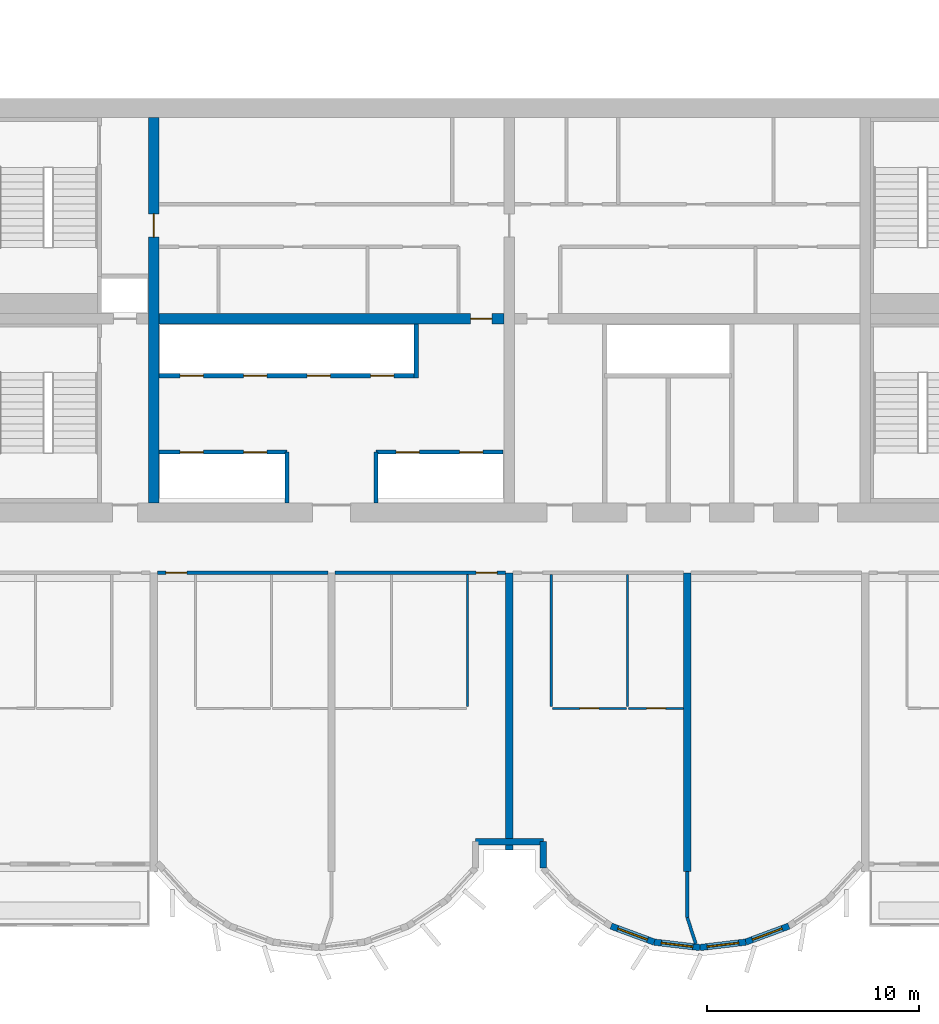
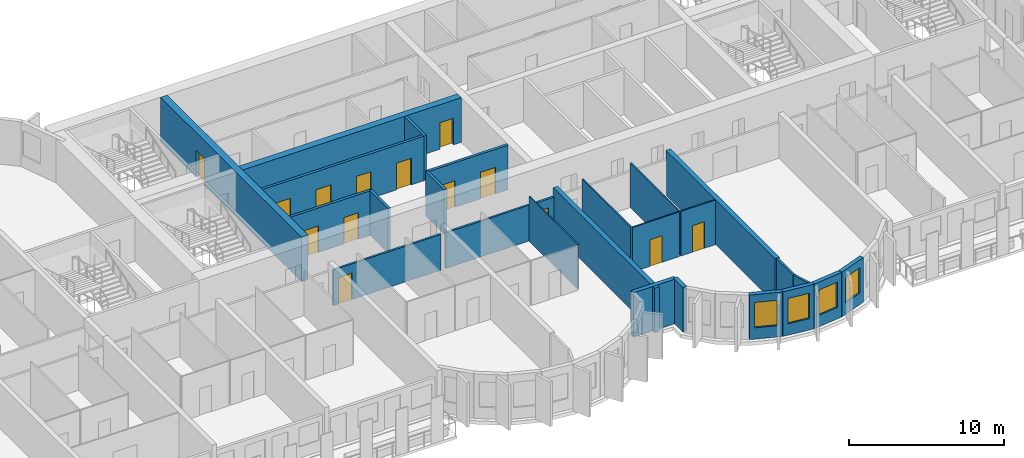
# One storey, part 5 of 14: 25 walls, 14 doors, 4 windows, 18 openings.
"""IFC4 building model written with IfcOpenShell, lengths in metres."""

from ifc_helpers import new_model, si_unit, direction, frame, frame_2d, origin, place, context, subcontext, project, spatial, rectangle, extrude, source, transform, mapped, material, layer, layer_set, type_object, element, fill, save


model = new_model("IFC4")

# Units and contexts
model_context = context("Model", 3, precision=1e-05, world=origin(), true_north=direction((0.0, 1.0)))
body_context = subcontext(model_context, "Body", "Model", "MODEL_VIEW")
ifc_project = project(units=[si_unit("LENGTHUNIT", "METRE"), si_unit("AREAUNIT", "SQUARE_METRE"), si_unit("VOLUMEUNIT", "CUBIC_METRE"), si_unit("PLANEANGLEUNIT", "RADIAN"), si_unit("MASSUNIT", "GRAM", prefix="KILO")], contexts=[model_context])

# Site, building, storey
site_placement = place(None, origin())
site = spatial("IfcSite", under=ifc_project, at=site_placement, CompositionType="ELEMENT")
building_placement = place(site_placement, origin())
building = spatial("IfcBuilding", under=site, at=building_placement, Name="Vanashikhar Sky Hotel", CompositionType="ELEMENT")
storey_placement = place(building_placement, frame((0.0, 0.0, 118.0)))
storey = spatial("IfcBuildingStorey", under=building, at=storey_placement, Name="L28", CompositionType="ELEMENT", Elevation=118.0)

# Wall, opening, door
ifc_material_1 = material(Name="Concrete M70", Category="concrete")
ifc_layer_1 = layer(ifc_material_1, 0.5)
ifc_layer_set_1 = layer_set([ifc_layer_1], Name="RC core inner wall 500 Concrete M70")
wall_type_1 = type_object("IfcWallType", Name="RC core inner wall 500 Concrete M70", PredefinedType="SHEAR", material=ifc_layer_set_1)
shared_shape_1 = source(origin(), body_context, "Body", "SweptSolid", [
    extrude(rectangle(XDim=18.2001953125, YDim=0.5, at=frame_2d((9.10009765625, 0.0))), origin(), (0.0, 0.0, 1.0), 3.52001953125),
])
wall_1_placement = place(storey_placement, frame((33.60009765625, 22.89990234375, 0.0), z_axis=(0.0, 0.0, 1.0), x_axis=(0.0, 1.0, 0.0)))
wall_1 = element("IfcWall", 1, at=wall_1_placement, inside=storey, type_object=wall_type_1, Name="KW-L28-KX1", PredefinedType="SHEAR", context=body_context, shape_type="MappedRepresentation", body=[
    mapped(shared_shape_1, transform((0.0, 0.0, 0.0), scale=1.0)),
])
shared_shape_2 = source(origin(), body_context, "Body", "SweptSolid", [
    extrude(rectangle(XDim=1.10009765625, YDim=2.10009765625, at=frame_2d((0.550048828125, 1.050048828125))), frame((0.0, 0.260009765625, 0.0), z_axis=(0.0, -1.0, 0.0), x_axis=(1.0, 0.0, 0.0)), (0.0, 0.0, 1.0), 0.52001953125),
])
opening_1_placement = place(wall_1_placement, frame((12.550048828125, 0.0, 0.0)))
opening_1 = element("IfcOpeningElement", 2, at=opening_1_placement, cuts=wall_1, Name="Opening DC-4-C", PredefinedType="OPENING", context=body_context, shape_type="MappedRepresentation", body=[
    mapped(shared_shape_2, transform((0.0, 0.0, 0.0), scale=1.0)),
])
ifc_material_2 = material(Name="Steel", Category="steel")
door_type_1 = type_object("IfcDoorType", Name="Service door 1100 FD60", OperationType="NOTDEFINED", PredefinedType="DOOR", material=ifc_material_2)
shared_shape_3 = source(origin(), body_context, "Body", "SweptSolid", [
    extrude(rectangle(XDim=1.10009765625, YDim=2.10009765625, at=frame_2d((0.550048828125, 1.050048828125))), frame((0.0, 0.02490234375, 0.0), z_axis=(0.0, -1.0, 0.0), x_axis=(1.0, 0.0, 0.0)), (0.0, 0.0, 1.0), 0.050048828125),
])
door_1_placement = place(opening_1_placement, origin())
door_1 = element("IfcDoor", 3, at=door_1_placement, inside=storey, type_object=door_type_1, Name="Service door 1100 FD60", OperationType="SINGLE_SWING_LEFT", OverallHeight=2.10009765625, OverallWidth=1.10009765625, PredefinedType="DOOR", context=body_context, shape_type="MappedRepresentation", body=[
    mapped(shared_shape_3, transform((0.0, 0.0, 0.0), scale=1.0)),
])
fill(opening_1, door_1)

shared_shape_4 = source(origin(), body_context, "Body", "SweptSolid", [
    extrude(rectangle(XDim=16.2998046875, YDim=0.5, at=frame_2d((8.14990234375, 0.0))), origin(), (0.0, 0.0, 1.0), 3.52001953125),
])
wall_2_placement = place(storey_placement, frame((33.85009765625, 31.60009765625, 0.0), z_axis=(0.0, 0.0, 1.0), x_axis=(1.0, 0.0, 0.0)))
wall_2 = element("IfcWall", 4, at=wall_2_placement, inside=storey, type_object=wall_type_1, Name="KW-L28-KY2", PredefinedType="SHEAR", context=body_context, shape_type="MappedRepresentation", body=[
    mapped(shared_shape_4, transform((0.0, 0.0, 0.0), scale=1.0)),
])
shared_shape_5 = source(origin(), body_context, "Body", "SweptSolid", [
    extrude(rectangle(XDim=1.0, YDim=2.10009765625, at=frame_2d((0.5, 1.050048828125))), frame((0.0, 0.260009765625, 0.0), z_axis=(0.0, -1.0, 0.0), x_axis=(1.0, 0.0, 0.0)), (0.0, 0.0, 1.0), 0.52001953125),
])
opening_2_placement = place(wall_2_placement, frame((14.72509765625, 0.0, 0.0)))
opening_2 = element("IfcOpeningElement", 5, at=opening_2_placement, cuts=wall_2, Name="Opening DC-4", PredefinedType="OPENING", context=body_context, shape_type="MappedRepresentation", body=[
    mapped(shared_shape_5, transform((0.0, 0.0, 0.0), scale=1.0)),
])
door_type_2 = type_object("IfcDoorType", Name="Service door 1000 FD60", OperationType="NOTDEFINED", PredefinedType="DOOR", material=ifc_material_2)
shared_shape_6 = source(origin(), body_context, "Body", "SweptSolid", [
    extrude(rectangle(XDim=1.0, YDim=2.10009765625, at=frame_2d((0.5, 1.050048828125))), frame((0.0, 0.02490234375, 0.0), z_axis=(0.0, -1.0, 0.0), x_axis=(1.0, 0.0, 0.0)), (0.0, 0.0, 1.0), 0.050048828125),
])
door_2_placement = place(opening_2_placement, origin())
door_2 = element("IfcDoor", 6, at=door_2_placement, inside=storey, type_object=door_type_2, Name="Service door 1000 FD60", OperationType="SINGLE_SWING_LEFT", OverallHeight=2.10009765625, OverallWidth=1.0, PredefinedType="DOOR", context=body_context, shape_type="MappedRepresentation", body=[
    mapped(shared_shape_6, transform((0.0, 0.0, 0.0), scale=1.0)),
])
fill(opening_2, door_2)

# Walls
ifc_layer_2 = layer(ifc_material_1, 0.35009765625)
ifc_layer_set_2 = layer_set([ifc_layer_2], Name="RC shear wall 350 Concrete M70")
wall_type_2 = type_object("IfcWallType", Name="RC shear wall 350 Concrete M70", PredefinedType="SHEAR", material=ifc_layer_set_2)
shared_shape_7 = source(origin(), body_context, "Body", "SweptSolid", [
    extrude(rectangle(XDim=14.10009765625, YDim=0.35009765625, at=frame_2d((7.050048828125, 0.0))), origin(), (0.0, 0.0, 1.0), 3.52001953125),
])
wall_3_placement = place(storey_placement, frame((58.800048828125, 5.5, 0.0), z_axis=(0.0, 0.0, 1.0), x_axis=(0.0, 1.0, 0.0)))
element("IfcWall", 7, at=wall_3_placement, inside=storey, type_object=wall_type_2, Name="CW-L28-XW08-1", PredefinedType="SHEAR", context=body_context, shape_type="MappedRepresentation", body=[
    mapped(shared_shape_7, transform((0.0, 0.0, 0.0), scale=1.0)),
])
shared_shape_8 = source(origin(), body_context, "Body", "SweptSolid", [
    extrude(rectangle(XDim=13.10009765625, YDim=0.35009765625, at=frame_2d((6.550048828125, 0.0))), origin(), (0.0, 0.0, 1.0), 3.52001953125),
])
wall_4_placement = place(storey_placement, frame((50.39990234375, 6.5, 0.0), z_axis=(0.0, 0.0, 1.0), x_axis=(0.0, 1.0, 0.0)))
element("IfcWall", 8, at=wall_4_placement, inside=storey, type_object=wall_type_2, Name="CW-L28-XW07-1", PredefinedType="SHEAR", context=body_context, shape_type="MappedRepresentation", body=[
    mapped(shared_shape_8, transform((0.0, 0.0, 0.0), scale=1.0)),
])

# Wall, opening, window
ifc_material_3 = material(Name="Concrete M50", Category="concrete")
ifc_layer_3 = layer(ifc_material_3, 0.300048828125)
ifc_layer_set_3 = layer_set([ifc_layer_3], Name="Lobe wall 300")
wall_type_3 = type_object("IfcWallType", Name="Lobe wall 300", PredefinedType="SOLIDWALL", material=ifc_layer_set_3)
shared_shape_9 = source(origin(), body_context, "Body", "SweptSolid", [
    extrude(rectangle(XDim=2.17578125, YDim=0.300048828125, at=frame_2d((1.087890625, 0.0))), origin(), (0.0, 0.0, 1.0), 3.52001953125),
])
wall_5_placement = place(storey_placement, frame((55.20068359375, 2.91650390625, 0.0), z_axis=(0.0, 0.0, 1.0), x_axis=(0.93754555999, -0.347862505801, 0.0)))
wall_5 = element("IfcWall", 9, at=wall_5_placement, inside=storey, type_object=wall_type_3, Name="Lobe wall", PredefinedType="SOLIDWALL", context=body_context, shape_type="MappedRepresentation", body=[
    mapped(shared_shape_9, transform((0.0, 0.0, 0.0), scale=1.0)),
])
shared_shape_10 = source(origin(), body_context, "Body", "SweptSolid", [
    extrude(rectangle(XDim=1.5, YDim=2.0, at=frame_2d((0.75, 1.0))), frame((0.0, 0.16015625, 0.0), z_axis=(0.0, -1.0, 0.0), x_axis=(1.0, 0.0, 0.0)), (0.0, 0.0, 1.0), 0.320068359375),
])
opening_3_placement = place(wall_5_placement, frame((0.337890625, 0.0, 0.89990234375)))
opening_3 = element("IfcOpeningElement", 10, at=opening_3_placement, cuts=wall_5, Name="Opening WN-2", PredefinedType="OPENING", context=body_context, shape_type="MappedRepresentation", body=[
    mapped(shared_shape_10, transform((0.0, 0.0, 0.0), scale=1.0)),
])
ifc_material_4 = material(Name="Glass", Category="glass")
window_type = type_object("IfcWindowType", Name="Lobe window 1500 x 2000", PartitioningType="SINGLE_PANEL", PredefinedType="WINDOW", material=ifc_material_4)
shared_shape_11 = source(origin(), body_context, "Body", "SweptSolid", [
    extrude(rectangle(XDim=1.5, YDim=2.0, at=frame_2d((0.75, 1.0))), frame((0.0, 0.030029296875, 0.0), z_axis=(0.0, -1.0, 0.0), x_axis=(1.0, 0.0, 0.0)), (0.0, 0.0, 1.0), 0.06005859375),
])
window_1_placement = place(opening_3_placement, origin())
window_1 = element("IfcWindow", 11, at=window_1_placement, inside=storey, type_object=window_type, Name="Window WN-2", OverallHeight=2.0, OverallWidth=1.5, PartitioningType="SINGLE_PANEL", PredefinedType="WINDOW", context=body_context, shape_type="MappedRepresentation", body=[
    mapped(shared_shape_11, transform((0.0, 0.0, 0.0), scale=1.0)),
])
fill(opening_3, window_1)

shared_shape_12 = source(origin(), body_context, "Body", "SweptSolid", [
    extrude(rectangle(XDim=2.174560546875, YDim=0.300048828125, at=frame_2d((1.08740234375, 0.0))), origin(), (0.0, 0.0, 1.0), 3.52001953125),
])
wall_6_placement = place(storey_placement, frame((57.240478515625, 2.15966796875, 0.0), z_axis=(0.0, 0.0, 1.0), x_axis=(0.993001132889, -0.118104826659, 0.0)))
wall_6 = element("IfcWall", 12, at=wall_6_placement, inside=storey, type_object=wall_type_3, Name="Lobe wall", PredefinedType="SOLIDWALL", context=body_context, shape_type="MappedRepresentation", body=[
    mapped(shared_shape_12, transform((0.0, 0.0, 0.0), scale=1.0)),
])
opening_4_placement = place(wall_6_placement, frame((0.33740234375, 0.0, 0.89990234375)))
opening_4 = element("IfcOpeningElement", 13, at=opening_4_placement, cuts=wall_6, Name="Opening WN-2", PredefinedType="OPENING", context=body_context, shape_type="MappedRepresentation", body=[
    mapped(shared_shape_10, transform((0.0, 0.0, 0.0), scale=1.0)),
])
window_2_placement = place(opening_4_placement, origin())
window_2 = element("IfcWindow", 14, at=window_2_placement, inside=storey, type_object=window_type, Name="Window WN-2", OverallHeight=2.0, OverallWidth=1.5, PartitioningType="SINGLE_PANEL", PredefinedType="WINDOW", context=body_context, shape_type="MappedRepresentation", body=[
    mapped(shared_shape_11, transform((0.0, 0.0, 0.0), scale=1.0)),
])
fill(opening_4, window_2)

shared_shape_13 = source(origin(), body_context, "Body", "SweptSolid", [
    extrude(rectangle(XDim=2.1748046875, YDim=0.300048828125, at=frame_2d((1.08740234375, 0.0))), origin(), (0.0, 0.0, 1.0), 3.52001953125),
])
wall_7_placement = place(storey_placement, frame((59.39990234375, 1.90283203125, 0.0), z_axis=(0.0, 0.0, 1.0), x_axis=(0.993002698611, 0.118091661648, 0.0)))
wall_7 = element("IfcWall", 15, at=wall_7_placement, inside=storey, type_object=wall_type_3, Name="Lobe wall", PredefinedType="SOLIDWALL", context=body_context, shape_type="MappedRepresentation", body=[
    mapped(shared_shape_13, transform((0.0, 0.0, 0.0), scale=1.0)),
])
opening_5_placement = place(wall_7_placement, frame((0.33740234375, 0.0, 0.89990234375)))
opening_5 = element("IfcOpeningElement", 16, at=opening_5_placement, cuts=wall_7, Name="Opening WN-2", PredefinedType="OPENING", context=body_context, shape_type="MappedRepresentation", body=[
    mapped(shared_shape_10, transform((0.0, 0.0, 0.0), scale=1.0)),
])
window_3_placement = place(opening_5_placement, origin())
window_3 = element("IfcWindow", 17, at=window_3_placement, inside=storey, type_object=window_type, Name="Window WN-2", OverallHeight=2.0, OverallWidth=1.5, PartitioningType="SINGLE_PANEL", PredefinedType="WINDOW", context=body_context, shape_type="MappedRepresentation", body=[
    mapped(shared_shape_11, transform((0.0, 0.0, 0.0), scale=1.0)),
])
fill(opening_5, window_3)

shared_shape_14 = source(origin(), body_context, "Body", "SweptSolid", [
    extrude(rectangle(XDim=2.175537109375, YDim=0.300048828125, at=frame_2d((1.087890625, 0.0))), origin(), (0.0, 0.0, 1.0), 3.52001953125),
])
wall_8_placement = place(storey_placement, frame((61.5595703125, 2.15966796875, 0.0), z_axis=(0.0, 0.0, 1.0), x_axis=(0.937531979054, 0.347899106424, 0.0)))
wall_8 = element("IfcWall", 18, at=wall_8_placement, inside=storey, type_object=wall_type_3, Name="Lobe wall", PredefinedType="SOLIDWALL", context=body_context, shape_type="MappedRepresentation", body=[
    mapped(shared_shape_14, transform((0.0, 0.0, 0.0), scale=1.0)),
])
opening_6_placement = place(wall_8_placement, frame((0.337890625, 0.0, 0.89990234375)))
opening_6 = element("IfcOpeningElement", 19, at=opening_6_placement, cuts=wall_8, Name="Opening WN-2", PredefinedType="OPENING", context=body_context, shape_type="MappedRepresentation", body=[
    mapped(shared_shape_10, transform((0.0, 0.0, 0.0), scale=1.0)),
])
window_4_placement = place(opening_6_placement, origin())
window_4 = element("IfcWindow", 20, at=window_4_placement, inside=storey, type_object=window_type, Name="Window WN-2", OverallHeight=2.0, OverallWidth=1.5, PartitioningType="SINGLE_PANEL", PredefinedType="WINDOW", context=body_context, shape_type="MappedRepresentation", body=[
    mapped(shared_shape_11, transform((0.0, 0.0, 0.0), scale=1.0)),
])
fill(opening_6, window_4)

# Walls
shared_shape_15 = source(origin(), body_context, "Body", "SweptSolid", [
    extrude(rectangle(XDim=1.244384765625, YDim=0.300048828125, at=frame_2d((0.6220703125, 0.0))), origin(), (0.0, 0.0, 1.0), 3.52001953125),
])
wall_9_placement = place(storey_placement, frame((52.0, 6.89990234375, 0.0), z_axis=(0.0, 0.0, 1.0), x_axis=(0.0, -1.0, 0.0)))
element("IfcWall", 21, at=wall_9_placement, inside=storey, type_object=wall_type_3, Name="Groove wall", PredefinedType="SOLIDWALL", context=body_context, shape_type="MappedRepresentation", body=[
    mapped(shared_shape_15, transform((0.0, 0.0, 0.0), scale=1.0)),
])
shared_shape_16 = source(origin(), body_context, "Body", "SweptSolid", [
    extrude(rectangle(XDim=3.199951171875, YDim=0.300048828125, at=frame_2d((1.60009765625, 0.0))), origin(), (0.0, 0.0, 1.0), 3.52001953125),
])
wall_10_placement = place(storey_placement, frame((48.800048828125, 6.89990234375, 0.0), z_axis=(0.0, 0.0, 1.0), x_axis=(1.0, 0.0, 0.0)))
element("IfcWall", 22, at=wall_10_placement, inside=storey, type_object=wall_type_3, Name="Groove wall", PredefinedType="SOLIDWALL", context=body_context, shape_type="MappedRepresentation", body=[
    mapped(shared_shape_16, transform((0.0, 0.0, 0.0), scale=1.0)),
])

# Wall, openings, doors
ifc_material_5 = material(Name="Concrete M40", Category="concrete")
ifc_layer_4 = layer(ifc_material_5, 0.199951171875)
ifc_layer_set_4 = layer_set([ifc_layer_4], Name="Shaft wall 200")
wall_type_4 = type_object("IfcWallType", Name="Shaft wall 200", PredefinedType="SOLIDWALL", material=ifc_layer_set_4)
shared_shape_17 = source(origin(), body_context, "Body", "SweptSolid", [
    extrude(rectangle(XDim=6.0, YDim=0.199951171875, at=frame_2d((3.0, 0.0))), origin(), (0.0, 0.0, 1.0), 3.52001953125),
])
wall_11_placement = place(storey_placement, frame((44.10009765625, 25.300048828125, 0.0), z_axis=(0.0, 0.0, 1.0), x_axis=(1.0, 0.0, 0.0)))
wall_11 = element("IfcWall", 23, at=wall_11_placement, inside=storey, type_object=wall_type_4, Name="Shaft wall 200", PredefinedType="SOLIDWALL", context=body_context, shape_type="MappedRepresentation", body=[
    mapped(shared_shape_17, transform((0.0, 0.0, 0.0), scale=1.0)),
])
shared_shape_18 = source(origin(), body_context, "Body", "SweptSolid", [
    extrude(rectangle(XDim=1.10009765625, YDim=2.10009765625, at=frame_2d((0.550048828125, 1.050048828125))), frame((0.0, 0.10986328125, 0.0), z_axis=(0.0, -1.0, 0.0), x_axis=(1.0, 0.0, 0.0)), (0.0, 0.0, 1.0), 0.219970703125),
])
opening_7_placement = place(wall_11_placement, frame((0.949951171875, 0.0, 0.0)))
opening_7 = element("IfcOpeningElement", 24, at=opening_7_placement, cuts=wall_11, Name="Opening LD", PredefinedType="OPENING", context=body_context, shape_type="MappedRepresentation", body=[
    mapped(shared_shape_18, transform((0.0, 0.0, 0.0), scale=1.0)),
])
opening_8_placement = place(wall_11_placement, frame((3.949951171875, 0.0, 0.0)))
opening_8 = element("IfcOpeningElement", 25, at=opening_8_placement, cuts=wall_11, Name="Opening LD", PredefinedType="OPENING", context=body_context, shape_type="MappedRepresentation", body=[
    mapped(shared_shape_18, transform((0.0, 0.0, 0.0), scale=1.0)),
])
ifc_material_6 = material(Name="Stainless steel", Category="steel")
door_type_3 = type_object("IfcDoorType", Name="Lift landing door 1100", OperationType="NOTDEFINED", PredefinedType="DOOR", material=ifc_material_6)
door_3_placement = place(opening_7_placement, origin())
door_3 = element("IfcDoor", 26, at=door_3_placement, inside=storey, type_object=door_type_3, Name="Lift landing door 1100", OperationType="SLIDING_TO_LEFT", OverallHeight=2.10009765625, OverallWidth=1.10009765625, PredefinedType="DOOR", context=body_context, shape_type="MappedRepresentation", body=[
    mapped(shared_shape_3, transform((0.0, 0.0, 0.0), scale=1.0)),
])
fill(opening_7, door_3)
door_4_placement = place(opening_8_placement, origin())
door_4 = element("IfcDoor", 27, at=door_4_placement, inside=storey, type_object=door_type_3, Name="Lift landing door 1100", OperationType="SLIDING_TO_RIGHT", OverallHeight=2.10009765625, OverallWidth=1.10009765625, PredefinedType="DOOR", context=body_context, shape_type="MappedRepresentation", body=[
    mapped(shared_shape_3, transform((0.0, 0.0, 0.0), scale=1.0)),
])
fill(opening_8, door_4)

shared_shape_19 = source(origin(), body_context, "Body", "SweptSolid", [
    extrude(rectangle(XDim=6.0498046875, YDim=0.199951171875, at=frame_2d((3.02490234375, 0.0))), origin(), (0.0, 0.0, 1.0), 3.52001953125),
])
wall_12_placement = place(storey_placement, frame((33.85009765625, 25.300048828125, 0.0), z_axis=(0.0, 0.0, 1.0), x_axis=(1.0, 0.0, 0.0)))
wall_12 = element("IfcWall", 28, at=wall_12_placement, inside=storey, type_object=wall_type_4, Name="Shaft wall 200", PredefinedType="SOLIDWALL", context=body_context, shape_type="MappedRepresentation", body=[
    mapped(shared_shape_19, transform((0.0, 0.0, 0.0), scale=1.0)),
])
opening_9_placement = place(wall_12_placement, frame((1.0, 0.0, 0.0)))
opening_9 = element("IfcOpeningElement", 29, at=opening_9_placement, cuts=wall_12, Name="Opening LD", PredefinedType="OPENING", context=body_context, shape_type="MappedRepresentation", body=[
    mapped(shared_shape_18, transform((0.0, 0.0, 0.0), scale=1.0)),
])
opening_10_placement = place(wall_12_placement, frame((4.0, 0.0, 0.0)))
opening_10 = element("IfcOpeningElement", 30, at=opening_10_placement, cuts=wall_12, Name="Opening LD", PredefinedType="OPENING", context=body_context, shape_type="MappedRepresentation", body=[
    mapped(shared_shape_18, transform((0.0, 0.0, 0.0), scale=1.0)),
])
door_5_placement = place(opening_9_placement, origin())
door_5 = element("IfcDoor", 31, at=door_5_placement, inside=storey, type_object=door_type_3, Name="Lift landing door 1100", OperationType="SLIDING_TO_LEFT", OverallHeight=2.10009765625, OverallWidth=1.10009765625, PredefinedType="DOOR", context=body_context, shape_type="MappedRepresentation", body=[
    mapped(shared_shape_3, transform((0.0, 0.0, 0.0), scale=1.0)),
])
fill(opening_9, door_5)
door_6_placement = place(opening_10_placement, origin())
door_6 = element("IfcDoor", 32, at=door_6_placement, inside=storey, type_object=door_type_3, Name="Lift landing door 1100", OperationType="SLIDING_TO_RIGHT", OverallHeight=2.10009765625, OverallWidth=1.10009765625, PredefinedType="DOOR", context=body_context, shape_type="MappedRepresentation", body=[
    mapped(shared_shape_3, transform((0.0, 0.0, 0.0), scale=1.0)),
])
fill(opening_10, door_6)

shared_shape_20 = source(origin(), body_context, "Body", "SweptSolid", [
    extrude(rectangle(XDim=12.0498046875, YDim=0.199951171875, at=frame_2d((6.02490234375, 0.0))), origin(), (0.0, 0.0, 1.0), 3.52001953125),
])
wall_13_placement = place(storey_placement, frame((33.85009765625, 28.89990234375, 0.0), z_axis=(0.0, 0.0, 1.0), x_axis=(1.0, 0.0, 0.0)))
wall_13 = element("IfcWall", 33, at=wall_13_placement, inside=storey, type_object=wall_type_4, Name="Shaft wall 200", PredefinedType="SOLIDWALL", context=body_context, shape_type="MappedRepresentation", body=[
    mapped(shared_shape_20, transform((0.0, 0.0, 0.0), scale=1.0)),
])
opening_11_placement = place(wall_13_placement, frame((1.0, 0.0, 0.0)))
opening_11 = element("IfcOpeningElement", 34, at=opening_11_placement, cuts=wall_13, Name="Opening LD", PredefinedType="OPENING", context=body_context, shape_type="MappedRepresentation", body=[
    mapped(shared_shape_18, transform((0.0, 0.0, 0.0), scale=1.0)),
])
opening_12_placement = place(wall_13_placement, frame((4.0, 0.0, 0.0)))
opening_12 = element("IfcOpeningElement", 35, at=opening_12_placement, cuts=wall_13, Name="Opening LD", PredefinedType="OPENING", context=body_context, shape_type="MappedRepresentation", body=[
    mapped(shared_shape_18, transform((0.0, 0.0, 0.0), scale=1.0)),
])
opening_13_placement = place(wall_13_placement, frame((7.0, 0.0, 0.0)))
opening_13 = element("IfcOpeningElement", 36, at=opening_13_placement, cuts=wall_13, Name="Opening LD", PredefinedType="OPENING", context=body_context, shape_type="MappedRepresentation", body=[
    mapped(shared_shape_18, transform((0.0, 0.0, 0.0), scale=1.0)),
])
opening_14_placement = place(wall_13_placement, frame((10.0, 0.0, 0.0)))
opening_14 = element("IfcOpeningElement", 37, at=opening_14_placement, cuts=wall_13, Name="Opening LD", PredefinedType="OPENING", context=body_context, shape_type="MappedRepresentation", body=[
    mapped(shared_shape_18, transform((0.0, 0.0, 0.0), scale=1.0)),
])
door_7_placement = place(opening_11_placement, origin())
door_7 = element("IfcDoor", 38, at=door_7_placement, inside=storey, type_object=door_type_3, Name="Lift landing door 1100", OperationType="SLIDING_TO_LEFT", OverallHeight=2.10009765625, OverallWidth=1.10009765625, PredefinedType="DOOR", context=body_context, shape_type="MappedRepresentation", body=[
    mapped(shared_shape_3, transform((0.0, 0.0, 0.0), scale=1.0)),
])
fill(opening_11, door_7)
door_8_placement = place(opening_12_placement, origin())
door_8 = element("IfcDoor", 39, at=door_8_placement, inside=storey, type_object=door_type_3, Name="Lift landing door 1100", OperationType="SLIDING_TO_RIGHT", OverallHeight=2.10009765625, OverallWidth=1.10009765625, PredefinedType="DOOR", context=body_context, shape_type="MappedRepresentation", body=[
    mapped(shared_shape_3, transform((0.0, 0.0, 0.0), scale=1.0)),
])
fill(opening_12, door_8)
door_9_placement = place(opening_13_placement, origin())
door_9 = element("IfcDoor", 40, at=door_9_placement, inside=storey, type_object=door_type_3, Name="Lift landing door 1100", OperationType="SLIDING_TO_LEFT", OverallHeight=2.10009765625, OverallWidth=1.10009765625, PredefinedType="DOOR", context=body_context, shape_type="MappedRepresentation", body=[
    mapped(shared_shape_3, transform((0.0, 0.0, 0.0), scale=1.0)),
])
fill(opening_13, door_9)
door_10_placement = place(opening_14_placement, origin())
door_10 = element("IfcDoor", 41, at=door_10_placement, inside=storey, type_object=door_type_3, Name="Lift landing door 1100", OperationType="SLIDING_TO_RIGHT", OverallHeight=2.10009765625, OverallWidth=1.10009765625, PredefinedType="DOOR", context=body_context, shape_type="MappedRepresentation", body=[
    mapped(shared_shape_3, transform((0.0, 0.0, 0.0), scale=1.0)),
])
fill(opening_14, door_10)

# Walls
shared_shape_21 = source(origin(), body_context, "Body", "SweptSolid", [
    extrude(rectangle(XDim=2.400146484375, YDim=0.199951171875, at=frame_2d((1.2001953125, 0.0))), origin(), (0.0, 0.0, 1.0), 3.52001953125),
])
for number, where, z_axis, x_axis, name in (
    (42, (39.89990234375, 22.89990234375, 0.0), (0.0, 0.0, 1.0), (0.0, 1.0, 0.0), "Shaft wall 200"),
    (43, (44.10009765625, 22.89990234375, 0.0), (0.0, 0.0, 1.0), (0.0, 1.0, 0.0), "Shaft wall 200"),
):
    element("IfcWall", number, at=place(storey_placement, frame(where, z_axis=z_axis, x_axis=x_axis)), inside=storey, type_object=wall_type_4, Name=name, PredefinedType="SOLIDWALL", context=body_context, shape_type="MappedRepresentation", body=[
        mapped(shared_shape_21, transform((0.0, 0.0, 0.0), scale=1.0)),
    ])
shared_shape_22 = source(origin(), body_context, "Body", "SweptSolid", [
    extrude(rectangle(XDim=2.550048828125, YDim=0.199951171875, at=frame_2d((1.27490234375, 0.0))), origin(), (0.0, 0.0, 1.0), 3.52001953125),
])
wall_14_placement = place(storey_placement, frame((46.0, 28.800048828125, 0.0), z_axis=(0.0, 0.0, 1.0), x_axis=(0.0, 1.0, 0.0)))
element("IfcWall", 44, at=wall_14_placement, inside=storey, type_object=wall_type_4, Name="Shaft wall 200", PredefinedType="SOLIDWALL", context=body_context, shape_type="MappedRepresentation", body=[
    mapped(shared_shape_22, transform((0.0, 0.0, 0.0), scale=1.0)),
])
ifc_material_7 = material(Name="Gypsum plasterboard partition")
ifc_layer_5 = layer(ifc_material_7, 0.14990234375)
ifc_layer_set_5 = layer_set([ifc_layer_5], Name="Corridor and demising partition 150")
wall_type_5 = type_object("IfcWallType", Name="Corridor and demising partition 150", PredefinedType="PARTITIONING", material=ifc_layer_set_5)
shared_shape_23 = source(origin(), body_context, "Body", "SweptSolid", [
    extrude(rectangle(XDim=2.177978515625, YDim=0.14990234375, at=frame_2d((1.0888671875, 0.0))), origin(), (0.0, 0.0, 1.0), 3.52001953125),
])
wall_15_placement = place(storey_placement, frame((58.800048828125, 3.322021484375, 0.0), z_axis=(0.0, 0.0, 1.0), x_axis=(0.0, 1.0, 0.0)))
element("IfcWall", 45, at=wall_15_placement, inside=storey, type_object=wall_type_5, Name="W-L28-PW058", PredefinedType="PARTITIONING", context=body_context, shape_type="MappedRepresentation", body=[
    mapped(shared_shape_23, transform((0.0, 0.0, 0.0), scale=1.0)),
])

# Wall, opening, door
ifc_layer_6 = layer(ifc_material_7, 0.10009765625)
ifc_layer_set_6 = layer_set([ifc_layer_6], Name="Wet room partition 100")
wall_type_6 = type_object("IfcWallType", Name="Wet room partition 100", PredefinedType="PARTITIONING", material=ifc_layer_set_6)
shared_shape_24 = source(origin(), body_context, "Body", "SweptSolid", [
    extrude(rectangle(XDim=3.5, YDim=0.10009765625, at=frame_2d((1.75, 0.0))), origin(), (0.0, 0.0, 1.0), 3.52001953125),
])
wall_16_placement = place(storey_placement, frame((52.425048828125, 13.199951171875, 0.0), z_axis=(0.0, 0.0, 1.0), x_axis=(1.0, 0.0, 0.0)))
wall_16 = element("IfcWall", 46, at=wall_16_placement, inside=storey, type_object=wall_type_6, Name="W-L28-PW030", PredefinedType="PARTITIONING", context=body_context, shape_type="MappedRepresentation", body=[
    mapped(shared_shape_24, transform((0.0, 0.0, 0.0), scale=1.0)),
])
shared_shape_25 = source(origin(), body_context, "Body", "SweptSolid", [
    extrude(rectangle(XDim=0.89990234375, YDim=2.10009765625, at=frame_2d((0.449951171875, 1.050048828125))), frame((0.0, 0.06005859375, 0.0), z_axis=(0.0, -1.0, 0.0), x_axis=(1.0, 0.0, 0.0)), (0.0, 0.0, 1.0), 0.1201171875),
])
opening_15_placement = place(wall_16_placement, frame((1.300048828125, 0.0, 0.0)))
opening_15 = element("IfcOpeningElement", 47, at=opening_15_placement, cuts=wall_16, Name="Opening D-02", PredefinedType="OPENING", context=body_context, shape_type="MappedRepresentation", body=[
    mapped(shared_shape_25, transform((0.0, 0.0, 0.0), scale=1.0)),
])
ifc_material_8 = material(Name="Timber door", Category="wood")
door_type_4 = type_object("IfcDoorType", Name="Internal door 900", OperationType="NOTDEFINED", PredefinedType="DOOR", material=ifc_material_8)
shared_shape_26 = source(origin(), body_context, "Body", "SweptSolid", [
    extrude(rectangle(XDim=0.89990234375, YDim=2.10009765625, at=frame_2d((0.449951171875, 1.050048828125))), frame((0.0, 0.02490234375, 0.0), z_axis=(0.0, -1.0, 0.0), x_axis=(1.0, 0.0, 0.0)), (0.0, 0.0, 1.0), 0.050048828125),
])
door_11_placement = place(opening_15_placement, origin())
door_11 = element("IfcDoor", 48, at=door_11_placement, inside=storey, type_object=door_type_4, Name="D-L28-018", OperationType="SINGLE_SWING_LEFT", OverallHeight=2.10009765625, OverallWidth=0.89990234375, PredefinedType="DOOR", context=body_context, shape_type="MappedRepresentation", body=[
    mapped(shared_shape_26, transform((0.0, 0.0, 0.0), scale=1.0)),
])
fill(opening_15, door_11)

# Walls
shared_shape_27 = source(origin(), body_context, "Body", "SweptSolid", [
    extrude(rectangle(XDim=1.308349609375, YDim=0.14990234375, at=frame_2d((0.654296875, 0.0))), origin(), (0.0, 0.0, 1.0), 3.52001953125),
])
wall_17_placement = place(storey_placement, frame((59.201904296875, 2.076904296875, 0.0), z_axis=(0.0, 0.0, 1.0), x_axis=(-0.307144529633, 0.951662880392, 0.0)))
element("IfcWall", 49, at=wall_17_placement, inside=storey, type_object=wall_type_5, Name="W-L28-PW058B0", PredefinedType="PARTITIONING", context=body_context, shape_type="MappedRepresentation", body=[
    mapped(shared_shape_27, transform((0.0, 0.0, 0.0), scale=1.0)),
])
shared_shape_28 = source(origin(), body_context, "Body", "SweptSolid", [
    extrude(rectangle(XDim=6.25, YDim=0.10009765625, at=frame_2d((3.125, 0.0))), origin(), (0.0, 0.0, 1.0), 3.52001953125),
])
for number, where, z_axis, x_axis, name in (
    (50, (48.425048828125, 13.27490234375, 0.0), (0.0, 0.0, 1.0), (0.0, 1.0, 0.0), "W-L28-PW023"),
    (51, (52.375, 13.27490234375, 0.0), (0.0, 0.0, 1.0), (0.0, 1.0, 0.0), "W-L28-PW028"),
    (52, (55.97509765625, 13.27490234375, 0.0), (0.0, 0.0, 1.0), (0.0, 1.0, 0.0), "W-L28-PW029"),
):
    element("IfcWall", number, at=place(storey_placement, frame(where, z_axis=z_axis, x_axis=x_axis)), inside=storey, type_object=wall_type_6, Name=name, PredefinedType="PARTITIONING", context=body_context, shape_type="MappedRepresentation", body=[
        mapped(shared_shape_28, transform((0.0, 0.0, 0.0), scale=1.0)),
    ])

# Wall, opening, door
shared_shape_29 = source(origin(), body_context, "Body", "SweptSolid", [
    extrude(rectangle(XDim=2.60009765625, YDim=0.10009765625, at=frame_2d((1.300048828125, 0.0))), origin(), (0.0, 0.0, 1.0), 3.52001953125),
])
wall_18_placement = place(storey_placement, frame((56.02490234375, 13.199951171875, 0.0), z_axis=(0.0, 0.0, 1.0), x_axis=(1.0, 0.0, 0.0)))
wall_18 = element("IfcWall", 53, at=wall_18_placement, inside=storey, type_object=wall_type_6, Name="W-L28-PW031", PredefinedType="PARTITIONING", context=body_context, shape_type="MappedRepresentation", body=[
    mapped(shared_shape_29, transform((0.0, 0.0, 0.0), scale=1.0)),
])
opening_16_placement = place(wall_18_placement, frame((0.85009765625, 0.0, 0.0)))
opening_16 = element("IfcOpeningElement", 54, at=opening_16_placement, cuts=wall_18, Name="Opening D-02", PredefinedType="OPENING", context=body_context, shape_type="MappedRepresentation", body=[
    mapped(shared_shape_25, transform((0.0, 0.0, 0.0), scale=1.0)),
])
door_12_placement = place(opening_16_placement, origin())
door_12 = element("IfcDoor", 55, at=door_12_placement, inside=storey, type_object=door_type_4, Name="D-L28-019", OperationType="SINGLE_SWING_LEFT", OverallHeight=2.10009765625, OverallWidth=0.89990234375, PredefinedType="DOOR", context=body_context, shape_type="MappedRepresentation", body=[
    mapped(shared_shape_26, transform((0.0, 0.0, 0.0), scale=1.0)),
])
fill(opening_16, door_12)

shared_shape_30 = source(origin(), body_context, "Body", "SweptSolid", [
    extrude(rectangle(XDim=8.050048828125, YDim=0.14990234375, at=frame_2d((4.02490234375, 0.0))), origin(), (0.0, 0.0, 1.0), 2.820068359375),
])
wall_19_placement = place(storey_placement, frame((33.77490234375, 19.60009765625, 0.0), z_axis=(0.0, 0.0, 1.0), x_axis=(1.0, 0.0, 0.0)))
wall_19 = element("IfcWall", 56, at=wall_19_placement, inside=storey, type_object=wall_type_5, Name="W-L28-PW022", PredefinedType="PARTITIONING", context=body_context, shape_type="MappedRepresentation", body=[
    mapped(shared_shape_30, transform((0.0, 0.0, 0.0), scale=1.0)),
])
shared_shape_31 = source(origin(), body_context, "Body", "SweptSolid", [
    extrude(rectangle(XDim=1.0, YDim=2.10009765625, at=frame_2d((0.5, 1.050048828125))), frame((0.0, 0.0849609375, 0.0), z_axis=(0.0, -1.0, 0.0), x_axis=(1.0, 0.0, 0.0)), (0.0, 0.0, 1.0), 0.169921875),
])
opening_17_placement = place(wall_19_placement, frame((0.39990234375, 0.0, 0.0)))
opening_17 = element("IfcOpeningElement", 57, at=opening_17_placement, cuts=wall_19, Name="Opening D-01", PredefinedType="OPENING", context=body_context, shape_type="MappedRepresentation", body=[
    mapped(shared_shape_31, transform((0.0, 0.0, 0.0), scale=1.0)),
])
ifc_material_9 = material(Name="Timber fire door", Category="wood")
door_type_5 = type_object("IfcDoorType", Name="Guest entry door 1000 FD30S", OperationType="NOTDEFINED", PredefinedType="DOOR", material=ifc_material_9)
door_13_placement = place(opening_17_placement, origin())
door_13 = element("IfcDoor", 58, at=door_13_placement, inside=storey, type_object=door_type_5, Name="D-L28-014", OperationType="SINGLE_SWING_LEFT", OverallHeight=2.10009765625, OverallWidth=1.0, PredefinedType="DOOR", context=body_context, shape_type="MappedRepresentation", body=[
    mapped(shared_shape_6, transform((0.0, 0.0, 0.0), scale=1.0)),
])
fill(opening_17, door_13)

wall_20_placement = place(storey_placement, frame((42.175048828125, 19.60009765625, 0.0), z_axis=(0.0, 0.0, 1.0), x_axis=(1.0, 0.0, 0.0)))
wall_20 = element("IfcWall", 59, at=wall_20_placement, inside=storey, type_object=wall_type_5, Name="W-L28-PW027", PredefinedType="PARTITIONING", context=body_context, shape_type="MappedRepresentation", body=[
    mapped(shared_shape_30, transform((0.0, 0.0, 0.0), scale=1.0)),
])
opening_18_placement = place(wall_20_placement, frame((6.64990234375, 0.0, 0.0)))
opening_18 = element("IfcOpeningElement", 60, at=opening_18_placement, cuts=wall_20, Name="Opening D-01", PredefinedType="OPENING", context=body_context, shape_type="MappedRepresentation", body=[
    mapped(shared_shape_31, transform((0.0, 0.0, 0.0), scale=1.0)),
])
door_14_placement = place(opening_18_placement, origin())
door_14 = element("IfcDoor", 61, at=door_14_placement, inside=storey, type_object=door_type_5, Name="D-L28-017", OperationType="SINGLE_SWING_RIGHT", OverallHeight=2.10009765625, OverallWidth=1.0, PredefinedType="DOOR", context=body_context, shape_type="MappedRepresentation", body=[
    mapped(shared_shape_6, transform((0.0, 0.0, 0.0), scale=1.0)),
])
fill(opening_18, door_14)

save(model, "model.ifc")
